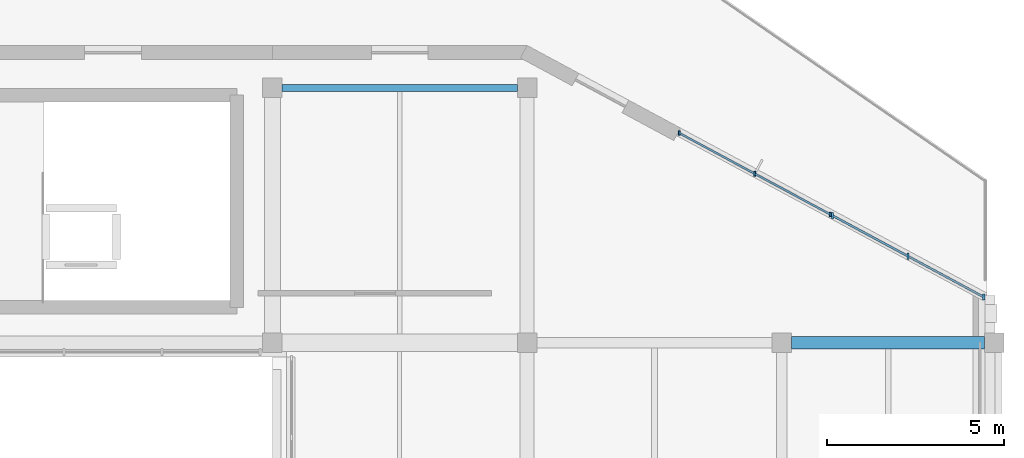
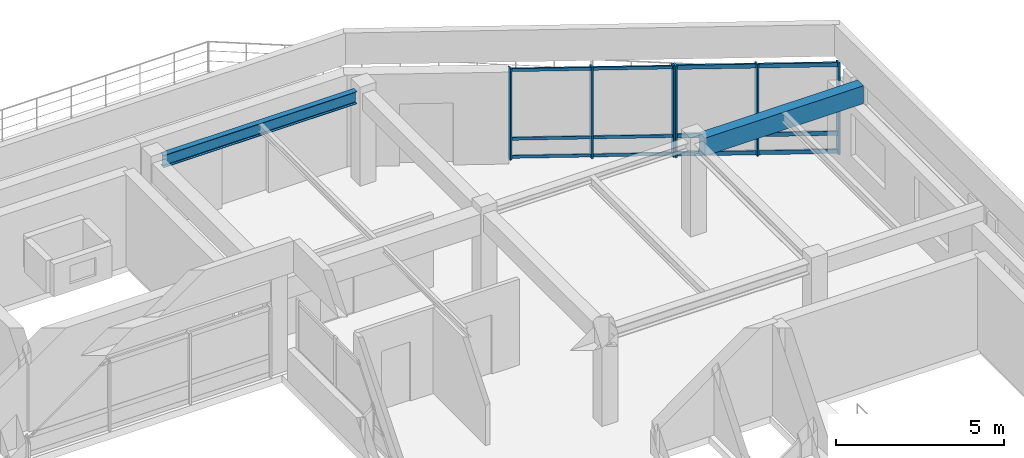
# One storey, part 5 of 10: 18 members, 2 beams, 2 elements without a shape of their own.
"""IFC4 building model written with IfcOpenShell, lengths in metres."""

from ifc_helpers import new_model, si_unit, direction, frame, origin, origin_2d, place, context, subcontext, project, spatial, rectangle, i_section, extrude, material, material_profile, profile_set, type_object, element, aggregate, save


model = new_model("IFC4")

# Units and contexts
model_context = context("Model", 3, precision=1e-05, world=origin(), true_north=direction((0.0, 1.0)))
body_context = subcontext(model_context, "Body", "Model", "MODEL_VIEW")
ifc_project = project(units=[si_unit("LENGTHUNIT", "METRE"), si_unit("AREAUNIT", "SQUARE_METRE"), si_unit("VOLUMEUNIT", "CUBIC_METRE"), si_unit("PLANEANGLEUNIT", "RADIAN"), si_unit("MASSUNIT", "GRAM", prefix="KILO")], contexts=[model_context])

# Site, building, storey
site_placement = place(None, origin())
site = spatial("IfcSite", under=ifc_project, at=site_placement, CompositionType="ELEMENT")
building_placement = place(site_placement, origin())
building = spatial("IfcBuilding", under=site, at=building_placement, Name="Clarverna Civic Hall", CompositionType="ELEMENT")
storey_placement = place(building_placement, frame((0.0, 0.0, 27.60009765625)))
storey = spatial("IfcBuildingStorey", under=building, at=storey_placement, Name="L07", CompositionType="ELEMENT", Elevation=27.60009765625)

# Beams
ifc_material_1 = material(Name="Concrete C35/45", Category="concrete")
ifc_material_profile_1 = material_profile(ifc_material_1, rectangle(XDim=0.35009765625, YDim=0.64990234375, at=origin_2d()), Name="RC 350x650")
ifc_profile_set_1 = profile_set([ifc_material_profile_1], Name="Concrete C35/45")
beam_type_1 = type_object("IfcBeamType", Name="B-RC17", PredefinedType="BEAM", material=ifc_profile_set_1)
beam_1_placement = place(storey_placement, frame((162.27490234375, 95.0, 3.014892578125), z_axis=(1.0, 0.0, 0.0), x_axis=(0.0, 1.0, 0.0)))
element("IfcBeam", 1, at=beam_1_placement, inside=storey, type_object=beam_type_1, Name="B-RC17-035", PredefinedType="BEAM", context=body_context, shape_type="SweptSolid", body=[
    extrude(rectangle(XDim=0.35009765625, YDim=0.64990234375, at=origin_2d()), origin(), (0.0, 0.0, 1.0), 5.4501953125),
])
ifc_material_2 = material(Name="Steel S355", Category="steel")
ifc_material_profile_2 = material_profile(ifc_material_2, i_section(OverallWidth=0.18994140625, OverallDepth=0.449951171875, WebThickness=0.009521484375, FlangeThickness=0.0146484375, FilletRadius=0.02099609375, at=origin_2d()), Name="IPE 450")
ifc_profile_set_2 = profile_set([ifc_material_profile_2], Name="Steel S355")
beam_type_2 = type_object("IfcBeamType", Name="B-ST13", PredefinedType="BEAM", material=ifc_profile_set_2)
beam_2_placement = place(storey_placement, frame((147.875, 102.199951171875, 3.114990234375), z_axis=(1.0, 0.0, 0.0), x_axis=(0.0, 1.0, 0.0)))
element("IfcBeam", 2, at=beam_2_placement, inside=storey, type_object=beam_type_2, Name="B-ST13-024", PredefinedType="BEAM", context=body_context, shape_type="SweptSolid", body=[
    extrude(i_section(OverallWidth=0.18994140625, OverallDepth=0.449951171875, WebThickness=0.009521484375, FlangeThickness=0.0146484375, FilletRadius=0.02099609375, at=origin_2d()), origin(), (0.0, 0.0, 1.0), 6.64990234375),
])

# Curtain wall, members
ifc_material_3 = material(Name="Anodised Bronze Architectural Aluminium", Category="aluminium")
curtain_wall_type = type_object("IfcCurtainWallType", Name="CW-01", PredefinedType="USERDEFINED", material=ifc_material_3)
curtain_wall_1_placement = place(storey_placement, origin())
curtain_wall_1 = element("IfcCurtainWall", 3, at=curtain_wall_1_placement, inside=storey, type_object=curtain_wall_type, Name="CW-01-127", ObjectType="UNITISED CURTAIN WALL", PredefinedType="USERDEFINED")
ifc_material_profile_3 = material_profile(ifc_material_3, rectangle(XDim=0.06005859375, YDim=0.179931640625, at=origin_2d()), Name="BRONZE 60x180")
ifc_profile_set_3 = profile_set([ifc_material_profile_3], Name="Anodised Bronze Architectural Aluminium")
member_type_1 = type_object("IfcMemberType", Name="CWM-01", PredefinedType="MULLION", material=ifc_profile_set_3)
member_1_placement = place(storey_placement, frame((163.429443359375, 98.594482421875, 0.0), z_axis=(0.0, 0.0, 1.0), x_axis=(1.0, 0.0, 0.0)))
member_1 = element("IfcMember", 4, at=member_1_placement, type_object=member_type_1, Name="CWM-01-224", PredefinedType="MULLION", context=body_context, shape_type="SweptSolid", body=[
    extrude(rectangle(XDim=0.06005859375, YDim=0.179931640625, at=origin_2d()), origin(), (0.0, 0.0, 1.0), 3.33984375),
])
member_2_placement = place(storey_placement, frame((165.56689453125, 97.443359375, 0.0), z_axis=(0.0, 0.0, 1.0), x_axis=(1.0, 0.0, 0.0)))
member_2 = element("IfcMember", 5, at=member_2_placement, type_object=member_type_1, Name="CWM-01-225", PredefinedType="MULLION", context=body_context, shape_type="SweptSolid", body=[
    extrude(rectangle(XDim=0.06005859375, YDim=0.179931640625, at=origin_2d()), origin(), (0.0, 0.0, 1.0), 3.33984375),
])
member_3_placement = place(storey_placement, frame((167.70458984375, 96.292236328125, 0.0), z_axis=(0.0, 0.0, 1.0), x_axis=(1.0, 0.0, 0.0)))
member_3 = element("IfcMember", 6, at=member_3_placement, type_object=member_type_1, Name="CWM-01-226", PredefinedType="MULLION", context=body_context, shape_type="SweptSolid", body=[
    extrude(rectangle(XDim=0.06005859375, YDim=0.179931640625, at=origin_2d()), origin(), (0.0, 0.0, 1.0), 3.33984375),
])

curtain_wall_2_placement = place(storey_placement, origin())
curtain_wall_2 = element("IfcCurtainWall", 7, at=curtain_wall_2_placement, inside=storey, type_object=curtain_wall_type, Name="CW-01-126", ObjectType="UNITISED CURTAIN WALL", PredefinedType="USERDEFINED")
ifc_material_profile_4 = material_profile(ifc_material_3, rectangle(XDim=0.054931640625, YDim=0.139892578125, at=origin_2d()), Name="BRONZE 55x140")
ifc_profile_set_4 = profile_set([ifc_material_profile_4], Name="Anodised Bronze Architectural Aluminium")
member_type_2 = type_object("IfcMemberType", Name="CWM-04", PredefinedType="MULLION", material=ifc_profile_set_4)
member_4_placement = place(storey_placement, frame((159.095947265625, 100.927734375, 0.0), z_axis=(0.0, 0.0, 1.0), x_axis=(1.0, 0.0, 0.0)))
member_4 = element("IfcMember", 8, at=member_4_placement, type_object=member_type_2, Name="CWM-04-237", PredefinedType="MULLION", context=body_context, shape_type="SweptSolid", body=[
    extrude(rectangle(XDim=0.054931640625, YDim=0.139892578125, at=origin_2d()), origin(), (0.0, 0.0, 1.0), 3.33984375),
])
member_5_placement = place(storey_placement, frame((161.233642578125, 99.776611328125, 0.0), z_axis=(0.0, 0.0, 1.0), x_axis=(1.0, 0.0, 0.0)))
member_5 = element("IfcMember", 9, at=member_5_placement, type_object=member_type_2, Name="CWM-04-238", PredefinedType="MULLION", context=body_context, shape_type="SweptSolid", body=[
    extrude(rectangle(XDim=0.054931640625, YDim=0.139892578125, at=origin_2d()), origin(), (0.0, 0.0, 1.0), 3.33984375),
])
member_6_placement = place(storey_placement, frame((163.37109375, 98.62548828125, 0.0), z_axis=(0.0, 0.0, 1.0), x_axis=(1.0, 0.0, 0.0)))
member_6 = element("IfcMember", 10, at=member_6_placement, type_object=member_type_2, Name="CWM-04-239", PredefinedType="MULLION", context=body_context, shape_type="SweptSolid", body=[
    extrude(rectangle(XDim=0.054931640625, YDim=0.139892578125, at=origin_2d()), origin(), (0.0, 0.0, 1.0), 3.33984375),
])

# Member
ifc_material_profile_5 = material_profile(ifc_material_3, rectangle(XDim=0.06005859375, YDim=0.14990234375, at=origin_2d()), Name="BRONZE 60x150")
ifc_profile_set_5 = profile_set([ifc_material_profile_5], Name="Anodised Bronze Architectural Aluminium")
member_type_3 = type_object("IfcMemberType", Name="CWT-01", PredefinedType="USERDEFINED", material=ifc_profile_set_5)
member_7_placement = place(storey_placement, frame((163.442626953125, 98.58740234375, 0.094970703125), z_axis=(0.880431863766, -0.47417268296, 0.0), x_axis=(0.47417268296, 0.880431863766, 0.0)))
member_7 = element("IfcMember", 11, at=member_7_placement, type_object=member_type_3, Name="CWT-01-478", ObjectType="TRANSOM", PredefinedType="USERDEFINED", context=body_context, shape_type="SweptSolid", body=[
    extrude(rectangle(XDim=0.06005859375, YDim=0.14990234375, at=origin_2d()), origin(), (0.0, 0.0, 1.0), 2.397705078125),
])

member_8_placement = place(storey_placement, frame((163.442626953125, 98.58740234375, 0.75), z_axis=(0.880431863766, -0.47417268296, 0.0), x_axis=(0.47417268296, 0.880431863766, 0.0)))
member_8 = element("IfcMember", 12, at=member_8_placement, type_object=member_type_3, Name="CWT-01-479", ObjectType="TRANSOM", PredefinedType="USERDEFINED", context=body_context, shape_type="SweptSolid", body=[
    extrude(rectangle(XDim=0.06005859375, YDim=0.14990234375, at=origin_2d()), origin(), (0.0, 0.0, 1.0), 2.397705078125),
])

member_9_placement = place(storey_placement, frame((163.442626953125, 98.58740234375, 3.244873046875), z_axis=(0.880431863766, -0.47417268296, 0.0), x_axis=(0.47417268296, 0.880431863766, 0.0)))
member_9 = element("IfcMember", 13, at=member_9_placement, type_object=member_type_3, Name="CWT-01-480", ObjectType="TRANSOM", PredefinedType="USERDEFINED", context=body_context, shape_type="SweptSolid", body=[
    extrude(rectangle(XDim=0.06005859375, YDim=0.14990234375, at=origin_2d()), origin(), (0.0, 0.0, 1.0), 2.397705078125),
])

member_10_placement = place(storey_placement, frame((165.580078125, 97.436279296875, 0.094970703125), z_axis=(0.880454753722, -0.474130179011, 0.0), x_axis=(0.474130179011, 0.880454753722, 0.0)))
member_10 = element("IfcMember", 14, at=member_10_placement, type_object=member_type_3, Name="CWT-01-481", ObjectType="TRANSOM", PredefinedType="USERDEFINED", context=body_context, shape_type="SweptSolid", body=[
    extrude(rectangle(XDim=0.06005859375, YDim=0.14990234375, at=origin_2d()), origin(), (0.0, 0.0, 1.0), 2.39794921875),
])

member_11_placement = place(storey_placement, frame((165.580078125, 97.436279296875, 0.75), z_axis=(0.880454753722, -0.474130179011, 0.0), x_axis=(0.474130179011, 0.880454753722, 0.0)))
member_11 = element("IfcMember", 15, at=member_11_placement, type_object=member_type_3, Name="CWT-01-482", ObjectType="TRANSOM", PredefinedType="USERDEFINED", context=body_context, shape_type="SweptSolid", body=[
    extrude(rectangle(XDim=0.06005859375, YDim=0.14990234375, at=origin_2d()), origin(), (0.0, 0.0, 1.0), 2.39794921875),
])

member_12_placement = place(storey_placement, frame((165.580078125, 97.436279296875, 3.244873046875), z_axis=(0.880454753722, -0.474130179011, 0.0), x_axis=(0.474130179011, 0.880454753722, 0.0)))
member_12 = element("IfcMember", 16, at=member_12_placement, type_object=member_type_3, Name="CWT-01-483", ObjectType="TRANSOM", PredefinedType="USERDEFINED", context=body_context, shape_type="SweptSolid", body=[
    extrude(rectangle(XDim=0.06005859375, YDim=0.14990234375, at=origin_2d()), origin(), (0.0, 0.0, 1.0), 2.39794921875),
])

aggregate(curtain_wall_1, [member_1, member_2, member_3, member_7, member_8, member_9, member_10, member_11, member_12])

ifc_material_profile_6 = material_profile(ifc_material_3, rectangle(XDim=0.054931640625, YDim=0.110107421875, at=origin_2d()), Name="BRONZE 55x110")
ifc_profile_set_6 = profile_set([ifc_material_profile_6], Name="Anodised Bronze Architectural Aluminium")
member_type_4 = type_object("IfcMemberType", Name="CWT-04", PredefinedType="USERDEFINED", material=ifc_profile_set_6)
member_13_placement = place(storey_placement, frame((159.109130859375, 100.920654296875, 0.094970703125), z_axis=(0.880454753722, -0.474130179011, 0.0), x_axis=(0.474130179011, 0.880454753722, 0.0)))
member_13 = element("IfcMember", 17, at=member_13_placement, type_object=member_type_4, Name="CWT-04-505", ObjectType="TRANSOM", PredefinedType="USERDEFINED", context=body_context, shape_type="SweptSolid", body=[
    extrude(rectangle(XDim=0.054931640625, YDim=0.110107421875, at=origin_2d()), origin(), (0.0, 0.0, 1.0), 2.39794921875),
])

member_14_placement = place(storey_placement, frame((159.109130859375, 100.920654296875, 0.75), z_axis=(0.880454753722, -0.474130179011, 0.0), x_axis=(0.474130179011, 0.880454753722, 0.0)))
member_14 = element("IfcMember", 18, at=member_14_placement, type_object=member_type_4, Name="CWT-04-506", ObjectType="TRANSOM", PredefinedType="USERDEFINED", context=body_context, shape_type="SweptSolid", body=[
    extrude(rectangle(XDim=0.054931640625, YDim=0.110107421875, at=origin_2d()), origin(), (0.0, 0.0, 1.0), 2.39794921875),
])

member_15_placement = place(storey_placement, frame((159.109130859375, 100.920654296875, 3.244873046875), z_axis=(0.880454753722, -0.474130179011, 0.0), x_axis=(0.474130179011, 0.880454753722, 0.0)))
member_15 = element("IfcMember", 19, at=member_15_placement, type_object=member_type_4, Name="CWT-04-507", ObjectType="TRANSOM", PredefinedType="USERDEFINED", context=body_context, shape_type="SweptSolid", body=[
    extrude(rectangle(XDim=0.054931640625, YDim=0.110107421875, at=origin_2d()), origin(), (0.0, 0.0, 1.0), 2.39794921875),
])

member_16_placement = place(storey_placement, frame((161.246826171875, 99.76953125, 0.094970703125), z_axis=(0.880474369488, -0.474093750935, 0.0), x_axis=(0.474093750935, 0.880474369488, 0.0)))
member_16 = element("IfcMember", 20, at=member_16_placement, type_object=member_type_4, Name="CWT-04-508", ObjectType="TRANSOM", PredefinedType="USERDEFINED", context=body_context, shape_type="SweptSolid", body=[
    extrude(rectangle(XDim=0.054931640625, YDim=0.110107421875, at=origin_2d()), origin(), (0.0, 0.0, 1.0), 2.397705078125),
])

member_17_placement = place(storey_placement, frame((161.246826171875, 99.76953125, 0.75), z_axis=(0.880474369488, -0.474093750935, 0.0), x_axis=(0.474093750935, 0.880474369488, 0.0)))
member_17 = element("IfcMember", 21, at=member_17_placement, type_object=member_type_4, Name="CWT-04-509", ObjectType="TRANSOM", PredefinedType="USERDEFINED", context=body_context, shape_type="SweptSolid", body=[
    extrude(rectangle(XDim=0.054931640625, YDim=0.110107421875, at=origin_2d()), origin(), (0.0, 0.0, 1.0), 2.397705078125),
])

member_18_placement = place(storey_placement, frame((161.246826171875, 99.76953125, 3.244873046875), z_axis=(0.880474369488, -0.474093750935, 0.0), x_axis=(0.474093750935, 0.880474369488, 0.0)))
member_18 = element("IfcMember", 22, at=member_18_placement, type_object=member_type_4, Name="CWT-04-510", ObjectType="TRANSOM", PredefinedType="USERDEFINED", context=body_context, shape_type="SweptSolid", body=[
    extrude(rectangle(XDim=0.054931640625, YDim=0.110107421875, at=origin_2d()), origin(), (0.0, 0.0, 1.0), 2.397705078125),
])

aggregate(curtain_wall_2, [member_4, member_5, member_6, member_13, member_14, member_15, member_16, member_17, member_18])

save(model, "model.ifc")
